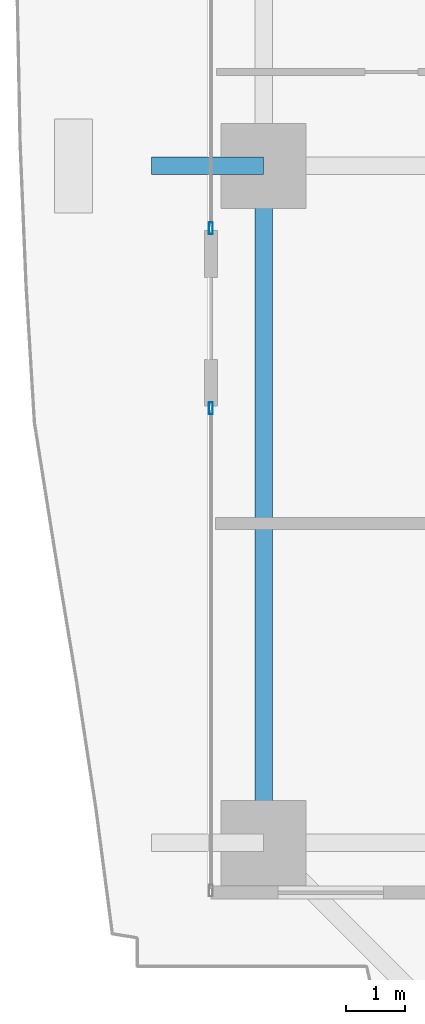
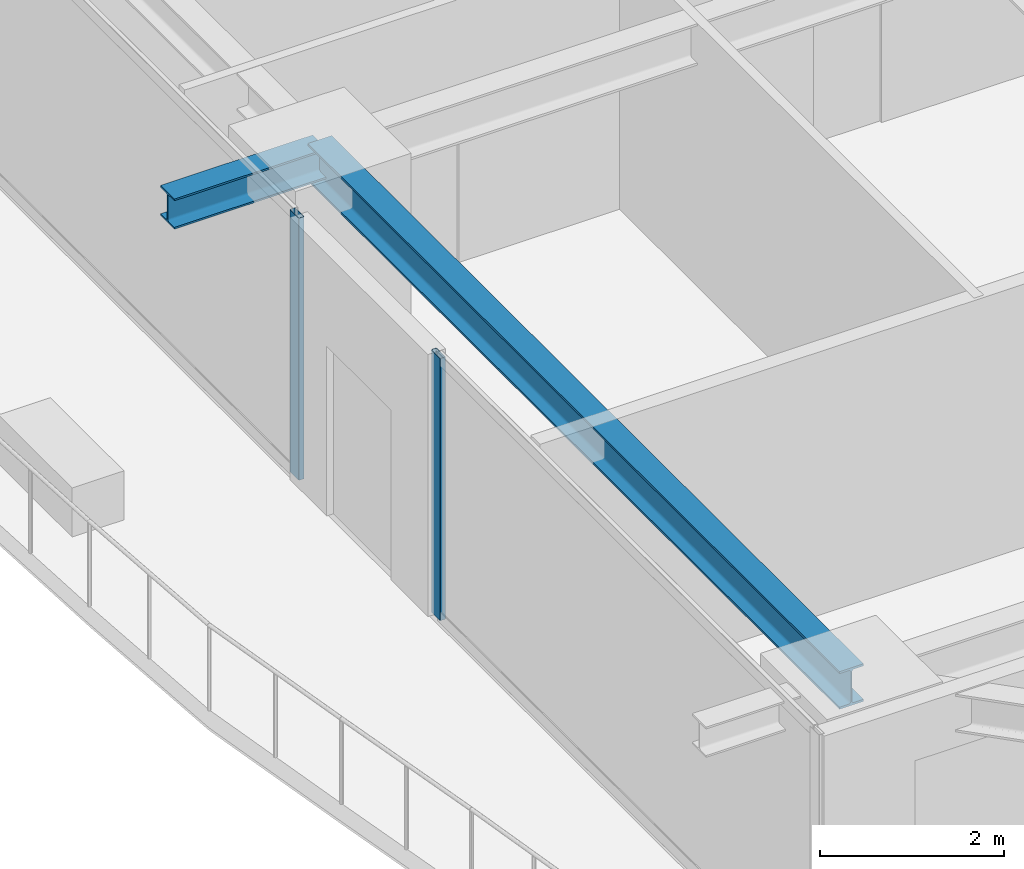
# One storey, part 6 of 39: 2 beams, 2 members, 2 elements without a shape of their own.
"""IFC4 building model written with IfcOpenShell, lengths in metres."""

import ifcopenshell
import ifcopenshell.guid

model = None  # the IFC model being written
_history = None  # IfcOwnerHistory: only IFC2X3 demands one
_inside = {}  # id of a spatial element -> (the spatial element, [elements in it])
_under = {}  # id of a project, library or spatial element -> (it, [spatial elements below it])
_declared = {}  # id of a project -> (the project, [libraries it declares])
_typed = {}  # id of a type object -> (the type object, [elements of that type])
_made_of = {}  # id of a material, layer set ... -> (it, [elements and type objects made of it])


def new_model(schema):
    """Start an empty IFC model of exactly this schema.

    Asked for "IFC4X3", IfcOpenShell would pick the latest addendum, in which some entities
    have other attributes; the version numbers below select the first issue.
    IFC2X3 requires an IfcOwnerHistory on every rooted entity: one is made here for all.
    """
    global model, _history
    if schema == "IFC4X3":
        model = ifcopenshell.file(schema_version=(4, 3, 0, 0))
    else:
        model = ifcopenshell.file(schema=schema)
    _inside.clear()
    _under.clear()
    _declared.clear()
    _typed.clear()
    _made_of.clear()
    _history = None
    if model.schema == "IFC2X3":
        org = make("IfcOrganization", Name="unknown")
        user = make(
            "IfcPersonAndOrganization",
            ThePerson=make("IfcPerson", FamilyName="unknown"),
            TheOrganization=org,
        )
        app = make(
            "IfcApplication",
            ApplicationDeveloper=org,
            Version="unknown",
            ApplicationFullName="unknown",
            ApplicationIdentifier="unknown",
        )
        _history = make(
            "IfcOwnerHistory",
            OwningUser=user,
            OwningApplication=app,
            ChangeAction="ADDED",
            CreationDate=0,
        )
    return model


def make(cls, **values):
    """One entity of the class cls with the attributes given. An attribute that is None is left unset."""
    return model.create_entity(
        cls, **{name: value for name, value in values.items() if value is not None}
    )


def rooted(cls, **values):
    """An entity with a GlobalId (a new one), such as an element, a storey or a relation."""
    return make(cls, GlobalId=ifcopenshell.guid.new(), OwnerHistory=_history, **values)


def si_unit(unit_type, name, prefix=None):
    """IfcSIUnit, for example si_unit("LENGTHUNIT", "METRE", prefix="MILLI")."""
    return make("IfcSIUnit", UnitType=unit_type, Prefix=prefix, Name=name)


def assignment(units):
    """IfcUnitAssignment: the units of a project."""
    return None if units is None else make("IfcUnitAssignment", Units=units)


def point(xyz):
    """IfcCartesianPoint."""
    return None if xyz is None else make("IfcCartesianPoint", Coordinates=xyz)


def direction(xyz):
    """IfcDirection."""
    return None if xyz is None else make("IfcDirection", DirectionRatios=xyz)


def frame(location, z_axis=None, x_axis=None):
    """IfcAxis2Placement3D, a coordinate frame: its origin and axes. An axis left out is left unset."""
    return make(
        "IfcAxis2Placement3D",
        Location=point(location),
        Axis=direction(z_axis),
        RefDirection=direction(x_axis),
    )


def frame_2d(location, x_axis=None):
    """IfcAxis2Placement2D, a coordinate frame in the plane: its origin and x axis."""
    return make(
        "IfcAxis2Placement2D", Location=point(location), RefDirection=direction(x_axis)
    )


def origin():
    """The frame at (0, 0, 0) with its axes left unset."""
    return frame((0.0, 0.0, 0.0))


def origin_2d():
    """The frame at (0, 0) in the plane with its x axis left unset."""
    return frame_2d((0.0, 0.0))


def place(relative_to, where):
    """IfcLocalPlacement: puts the frame where relative to a parent placement (None: the world)."""
    return make(
        "IfcLocalPlacement", PlacementRelTo=relative_to, RelativePlacement=where
    )


def context(
    kind, dimensions, precision=None, world=None, true_north=None, identifier=None
):
    """IfcGeometricRepresentationContext, for example the 3D "Model" context."""
    return make(
        "IfcGeometricRepresentationContext",
        ContextIdentifier=identifier,
        ContextType=kind,
        CoordinateSpaceDimension=dimensions,
        Precision=precision,
        WorldCoordinateSystem=world,
        TrueNorth=true_north,
    )


def subcontext(parent, identifier, kind, view, scale=None):
    """IfcGeometricRepresentationSubContext, for example "Body" below "Model"."""
    return make(
        "IfcGeometricRepresentationSubContext",
        ContextIdentifier=identifier,
        ContextType=kind,
        ParentContext=parent,
        TargetScale=scale,
        TargetView=view,
    )


def project(units=None, contexts=None):
    """IfcProject with its units and contexts."""
    return rooted(
        "IfcProject",
        Name="project",
        RepresentationContexts=contexts,
        UnitsInContext=assignment(units),
    )


def spatial(cls, under=None, at=None, **own):
    """A site, building, storey or space (cls), placed at a placement, below another one or the project."""
    s = rooted(cls, ObjectPlacement=at, **own)
    if under is not None:
        _under.setdefault(under.id(), (under, []))[1].append(s)
    return s


def profile(cls, at=None, kind="AREA", **sizes):
    """A parametric profile (cls). Its sizes go by their IFC names, for example OverallWidth=200.0."""
    return make(cls, ProfileType=kind, Position=at, **sizes)


def hollow_rectangle(**sizes):
    """IfcRectangleHollowProfileDef."""
    return profile("IfcRectangleHollowProfileDef", **sizes)


def i_section(**sizes):
    """IfcIShapeProfileDef."""
    return profile("IfcIShapeProfileDef", **sizes)


def extrude(swept, where, along, depth):
    """IfcExtrudedAreaSolid: the profile swept, set in the frame where, extruded along a direction by depth."""
    return make(
        "IfcExtrudedAreaSolid",
        SweptArea=swept,
        Position=where,
        ExtrudedDirection=direction(along),
        Depth=depth,
    )


def shape(context_of_items, identifier, shape_type, items):
    """IfcShapeRepresentation: the items that make up one representation, for example the "Body"."""
    return make(
        "IfcShapeRepresentation",
        ContextOfItems=context_of_items,
        RepresentationIdentifier=identifier,
        RepresentationType=shape_type,
        Items=items,
    )


def source(mapping_origin, context_of_items, identifier, shape_type, items):
    """IfcRepresentationMap: a shape defined once, which mapped items show again and again."""
    return make(
        "IfcRepresentationMap",
        MappingOrigin=mapping_origin,
        MappedRepresentation=shape(context_of_items, identifier, shape_type, items),
    )


def transform(
    local_origin,
    x_axis=None,
    y_axis=None,
    z_axis=None,
    scale=None,
    scale2=None,
    scale3=None,
    uniform=True,
):
    """IfcCartesianTransformationOperator3D, or its non-uniform kind. x_axis, y_axis, z_axis: its Axis1, 2, 3."""
    if uniform:
        return make(
            "IfcCartesianTransformationOperator3D",
            Axis1=direction(x_axis),
            Axis2=direction(y_axis),
            LocalOrigin=point(local_origin),
            Scale=scale,
            Axis3=direction(z_axis),
        )
    return make(
        "IfcCartesianTransformationOperator3DnonUniform",
        Axis1=direction(x_axis),
        Axis2=direction(y_axis),
        LocalOrigin=point(local_origin),
        Scale=scale,
        Axis3=direction(z_axis),
        Scale2=scale2,
        Scale3=scale3,
    )


def mapped(mapping_source, mapping_target):
    """IfcMappedItem: shows the shape of a source again, moved by a transform."""
    return make(
        "IfcMappedItem", MappingSource=mapping_source, MappingTarget=mapping_target
    )


def material(Name=None, Category=None):
    """IfcMaterial."""
    return make("IfcMaterial", Name=Name, Category=Category)


def layer(
    of_material, thickness, ventilated=None, Name=None, Category=None, Priority=None
):
    """IfcMaterialLayer: one layer of a wall or slab, of a material (None: an air gap)."""
    return make(
        "IfcMaterialLayer",
        Material=of_material,
        LayerThickness=thickness,
        IsVentilated=ventilated,
        Name=Name,
        Category=Category,
        Priority=Priority,
    )


def layer_set(layers, Name=None):
    """IfcMaterialLayerSet."""
    return make("IfcMaterialLayerSet", MaterialLayers=layers, LayerSetName=Name)


def material_profile(
    of_material, cross_section, Name=None, Category=None, Priority=None
):
    """IfcMaterialProfile: a cross section and its material."""
    return make(
        "IfcMaterialProfile",
        Name=Name,
        Material=of_material,
        Profile=cross_section,
        Priority=Priority,
        Category=Category,
    )


def profile_set(profiles, Name=None, composite=None):
    """IfcMaterialProfileSet."""
    return make(
        "IfcMaterialProfileSet",
        Name=Name,
        MaterialProfiles=profiles,
        CompositeProfile=composite,
    )


def made_of(thing, what):
    """Note that an element or type object is made of a material, layer set ...; save() writes the relation."""
    if what is not None:
        _made_of.setdefault(what.id(), (what, []))[1].append(thing)
    return thing


def type_object(cls, material=None, **own):
    """A type object (cls), such as IfcWallType, which elements share."""
    return made_of(rooted(cls, **own), material)


def element(
    cls,
    number,
    at=None,
    inside=None,
    cuts=None,
    type_object=None,
    material=None,
    context=None,
    identifier="Body",
    shape_type=None,
    held_by="IfcProductDefinitionShape",
    body=None,
    shapes=None,
    **own,
):
    """One element of the class cls, such as IfcWall. Its Tag is "e" and its number.

    at: its placement. inside: the storey or other place that contains it. cuts: it is an
    opening in that element (IfcRelVoidsElement). A single representation is given by context,
    identifier, shape_type and body (its items); several are given by shapes. held_by: the class
    of the entity that holds the representations. save() writes the other relations.
    """
    e = rooted(cls, Tag="e%d" % number, ObjectPlacement=at, **own)
    if body is not None:
        shapes = [shape(context, identifier, shape_type, body)]
    if shapes is not None:
        e.Representation = make(held_by, Representations=shapes)
    if inside is not None:
        _inside.setdefault(inside.id(), (inside, []))[1].append(e)
    if cuts is not None:
        rooted(
            "IfcRelVoidsElement", RelatingBuildingElement=cuts, RelatedOpeningElement=e
        )
    if type_object is not None:
        _typed.setdefault(type_object.id(), (type_object, []))[1].append(e)
    return made_of(e, material)


def aggregate(whole, parts):
    """IfcRelAggregates: a whole, such as a stair, and the parts it consists of."""
    return rooted("IfcRelAggregates", RelatingObject=whole, RelatedObjects=parts)


def save(model, path):
    """Write the relations noted so far, then the file.

    IfcRelAggregates (storeys below a building ...), IfcRelContainedInSpatialStructure (elements
    in a storey), IfcRelDefinesByType, IfcRelAssociatesMaterial and IfcRelDeclares: one each for
    every whole, place, type object, material and project.
    """
    for whole, parts in _under.values():
        aggregate(whole, parts)
    for where, things in _inside.values():
        rooted(
            "IfcRelContainedInSpatialStructure",
            RelatedElements=things,
            RelatingStructure=where,
        )
    for kind, things in _typed.values():
        rooted("IfcRelDefinesByType", RelatedObjects=things, RelatingType=kind)
    for what, things in _made_of.values():
        rooted("IfcRelAssociatesMaterial", RelatedObjects=things, RelatingMaterial=what)
    for by, libraries in _declared.values():
        rooted("IfcRelDeclares", RelatingContext=by, RelatedDefinitions=libraries)
    model.write(path)


model = new_model("IFC4")

# Units and contexts
model_context = context("Model", 3, precision=1e-05, world=origin(), true_north=direction((0.0, 1.0)))
body_context = subcontext(model_context, "Body", "Model", "MODEL_VIEW")
ifc_project = project(units=[si_unit("LENGTHUNIT", "METRE"), si_unit("AREAUNIT", "SQUARE_METRE"), si_unit("VOLUMEUNIT", "CUBIC_METRE"), si_unit("PLANEANGLEUNIT", "RADIAN"), si_unit("MASSUNIT", "GRAM", prefix="KILO")], contexts=[model_context])

# Site, building, storey
site_placement = place(None, origin())
site = spatial("IfcSite", under=ifc_project, at=site_placement, CompositionType="ELEMENT")
building_placement = place(site_placement, origin())
building = spatial("IfcBuilding", under=site, at=building_placement, Name="Serunith Strait Residences", CompositionType="ELEMENT")
storey_placement = place(building_placement, frame((0.0, 0.0, 60.449951171875)))
storey = spatial("IfcBuildingStorey", under=building, at=storey_placement, Name="L14", CompositionType="ELEMENT", Elevation=60.449951171875)

# Beams
ifc_material_1 = material(Name="Steel S355J2", Category="steel")
ifc_material_profile_1 = material_profile(ifc_material_1, i_section(OverallWidth=0.300048828125, OverallDepth=0.5, WebThickness=0.014404296875, FlangeThickness=0.028076171875, FilletRadius=0.027099609375, at=origin_2d()), Name="HEB 500")
ifc_profile_set_1 = profile_set([ifc_material_profile_1], Name="Steel S355J2")
beam_type_1 = type_object("IfcBeamType", Name="BM-HEB500", PredefinedType="BEAM", material=ifc_profile_set_1)
shared_shape_1 = source(origin(), body_context, "Body", "SweptSolid", [
    extrude(i_section(OverallWidth=0.300048828125, OverallDepth=0.5, WebThickness=0.014404296875, FlangeThickness=0.028076171875, FilletRadius=0.027099609375, at=origin_2d()), origin(), (0.0, 0.0, 1.0), 11.550048828125),
])
beam_1_placement = place(storey_placement, frame((6.89990234375, 21.0, 3.237060546875), z_axis=(0.0, -1.0, 0.0), x_axis=(1.0, 0.0, 0.0)))
element("IfcBeam", 1, at=beam_1_placement, inside=storey, type_object=beam_type_1, Name="L14 Perimeter Ring Beam 15", PredefinedType="BEAM", context=body_context, shape_type="MappedRepresentation", body=[
    mapped(shared_shape_1, transform((0.0, 0.0, 0.0), scale=1.0)),
])
ifc_material_profile_2 = material_profile(ifc_material_1, i_section(OverallWidth=0.300048828125, OverallDepth=0.39990234375, WebThickness=0.013427734375, FlangeThickness=0.02392578125, FilletRadius=0.027099609375, at=origin_2d()), Name="HEB 400")
ifc_profile_set_2 = profile_set([ifc_material_profile_2], Name="Steel S355J2")
beam_type_2 = type_object("IfcBeamType", Name="BM-HEB400", PredefinedType="BEAM", material=ifc_profile_set_2)
shared_shape_2 = source(origin(), body_context, "Body", "SweptSolid", [
    extrude(i_section(OverallWidth=0.300048828125, OverallDepth=0.39990234375, WebThickness=0.013427734375, FlangeThickness=0.02392578125, FilletRadius=0.027099609375, at=origin_2d()), origin(), (0.0, 0.0, 1.0), 1.909912109375),
])
beam_2_placement = place(storey_placement, frame((6.89990234375, 21.0, 3.257080078125), z_axis=(-1.0, 0.0, 0.0), x_axis=(0.0, -1.0, 0.0)))
element("IfcBeam", 2, at=beam_2_placement, inside=storey, type_object=beam_type_2, Name="L15 Cantilevered Balcony Rib TC-W2", PredefinedType="BEAM", context=body_context, shape_type="MappedRepresentation", body=[
    mapped(shared_shape_2, transform((0.0, 0.0, 0.0), scale=1.0)),
])

# Curtain wall, member
ifc_material_2 = material(Name="Pale-Champagne Anodised Aluminium", Category="aluminium")
ifc_layer = layer(ifc_material_2, 0.199951171875, Name="Pale-Champagne Anodised Aluminium")
ifc_layer_set = layer_set([ifc_layer], Name="Pale-Champagne Anodised Aluminium")
curtain_wall_type = type_object("IfcCurtainWallType", Name="CW-SYS1", PredefinedType="NOTDEFINED", material=ifc_layer_set)
curtain_wall_1_placement = place(storey_placement, origin())
curtain_wall_1 = element("IfcCurtainWall", 3, at=curtain_wall_1_placement, inside=storey, type_object=curtain_wall_type, Name="L14 W Unitised Fritted Curtain Wall", PredefinedType="NOTDEFINED")
ifc_material_profile_3 = material_profile(ifc_material_2, hollow_rectangle(XDim=0.070068359375, YDim=0.199951171875, WallThickness=0.00390625, InnerFilletRadius=0.006103515625, OuterFilletRadius=0.010009765625, at=origin_2d()), Name="ALU 200x70x4")
ifc_profile_set_3 = profile_set([ifc_material_profile_3], Name="Pale-Champagne Anodised Aluminium")
member_type = type_object("IfcMemberType", Name="CW-SYS1-MULL", PredefinedType="MULLION", material=ifc_profile_set_3)
shared_shape_3 = source(origin(), body_context, "Body", "SweptSolid", [
    extrude(hollow_rectangle(XDim=0.070068359375, YDim=0.199951171875, WallThickness=0.00390625, InnerFilletRadius=0.006103515625, OuterFilletRadius=0.010009765625, at=origin_2d()), origin(), (0.0, 0.0, 1.0), 3.47509765625),
])
member_1_placement = place(storey_placement, frame((6.0, 19.93505859375, 0.0), z_axis=(0.0, 0.0, 1.0), x_axis=(1.0, 0.0, 0.0)))
member_1 = element("IfcMember", 4, at=member_1_placement, type_object=member_type, Name="CW-1 mullion 4", PredefinedType="MULLION", context=body_context, shape_type="MappedRepresentation", body=[
    mapped(shared_shape_3, transform((0.0, 0.0, 0.0), scale=1.0)),
])
aggregate(curtain_wall_1, [member_1])

curtain_wall_2_placement = place(storey_placement, origin())
curtain_wall_2 = element("IfcCurtainWall", 5, at=curtain_wall_2_placement, inside=storey, type_object=curtain_wall_type, Name="L14 W Unitised Fritted Curtain Wall", PredefinedType="NOTDEFINED")
member_2_placement = place(storey_placement, frame((6.0, 16.864990234375, 0.0), z_axis=(0.0, 0.0, 1.0), x_axis=(1.0, 0.0, 0.0)))
member_2 = element("IfcMember", 6, at=member_2_placement, type_object=member_type, Name="CW-1 mullion 1", PredefinedType="MULLION", context=body_context, shape_type="MappedRepresentation", body=[
    mapped(shared_shape_3, transform((0.0, 0.0, 0.0), scale=1.0)),
])
aggregate(curtain_wall_2, [member_2])

save(model, "model.ifc")
